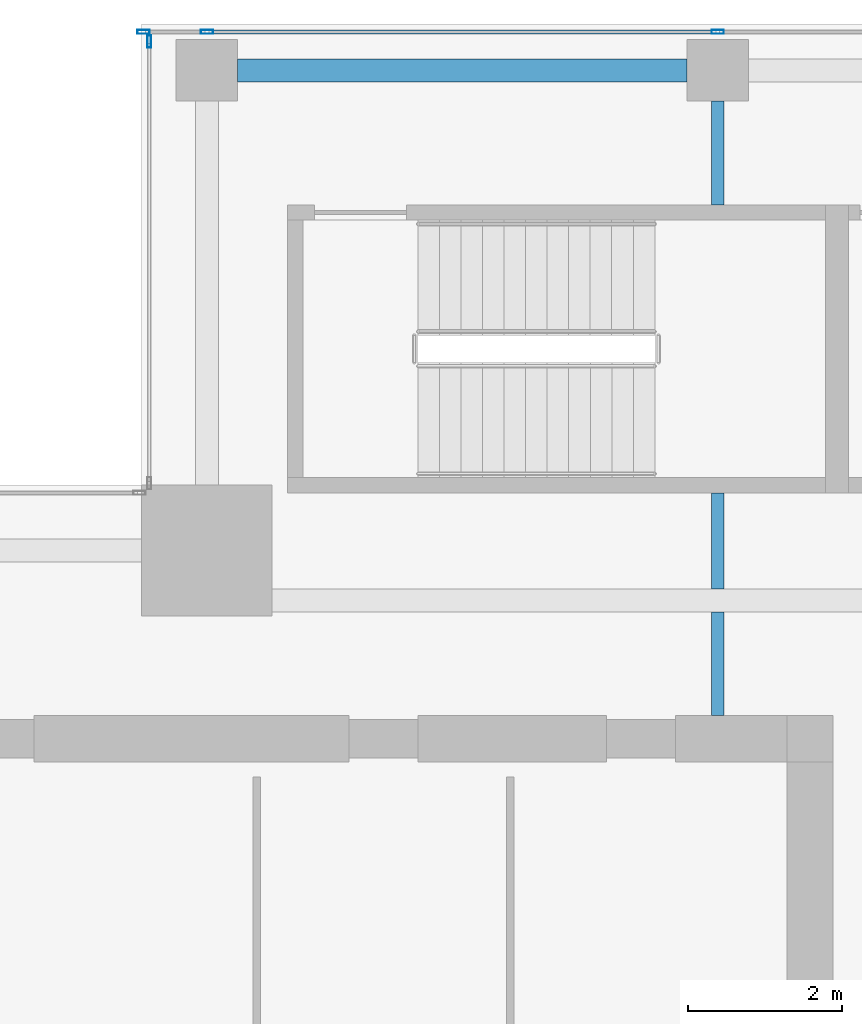
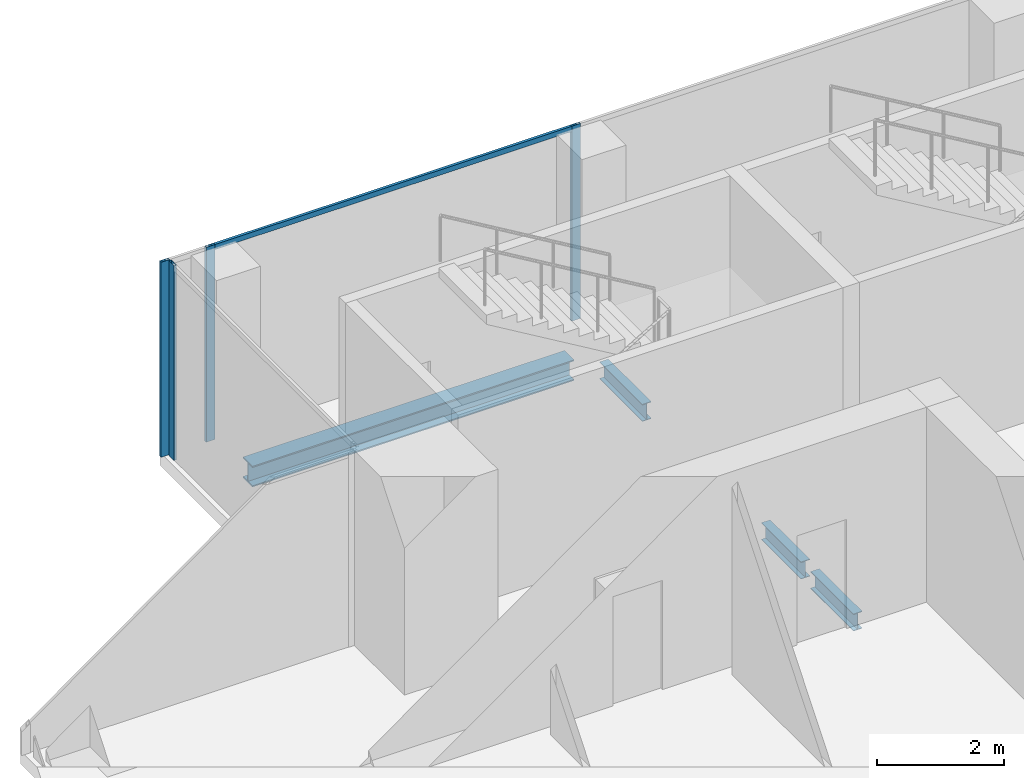
# One storey, part 13 of 28: 5 members, 4 beams, 2 elements without a shape of their own.
"""IFC4 building model written with IfcOpenShell, lengths in metres."""

from ifc_helpers import new_model, si_unit, direction, frame, origin, origin_2d, place, context, subcontext, project, spatial, hollow_rectangle, i_section, extrude, source, transform, mapped, material, material_profile, profile_set, type_object, element, aggregate, save


model = new_model("IFC4")

# Units and contexts
model_context = context("Model", 3, precision=1e-05, world=origin(), true_north=direction((0.0, 1.0)))
body_context = subcontext(model_context, "Body", "Model", "MODEL_VIEW")
ifc_project = project(units=[si_unit("LENGTHUNIT", "METRE"), si_unit("AREAUNIT", "SQUARE_METRE"), si_unit("VOLUMEUNIT", "CUBIC_METRE"), si_unit("PLANEANGLEUNIT", "RADIAN"), si_unit("MASSUNIT", "GRAM", prefix="KILO")], contexts=[model_context])

# Site, building, storey
site_placement = place(None, origin())
site = spatial("IfcSite", under=ifc_project, at=site_placement, CompositionType="ELEMENT")
building_placement = place(site_placement, origin())
building = spatial("IfcBuilding", under=site, at=building_placement, Name="Khomas Fold Tower", CompositionType="ELEMENT")
storey_placement = place(building_placement, frame((0.0, 0.0, 302.199951171875)))
storey = spatial("IfcBuildingStorey", under=building, at=storey_placement, Name="L68", CompositionType="ELEMENT", Elevation=302.199951171875)

# Beams
ifc_material_1 = material(Name="Steel S355", Category="steel")
ifc_material_profile_1 = material_profile(ifc_material_1, i_section(OverallWidth=0.159912109375, OverallDepth=0.330078125, WebThickness=0.007568359375, FlangeThickness=0.011474609375, at=origin_2d()), Name="IPE 330")
ifc_profile_set_1 = profile_set([ifc_material_profile_1], Name="Steel S355")
beam_type_1 = type_object("IfcBeamType", Name="IPE 330 beam JB1", PredefinedType="BEAM", material=ifc_profile_set_1)
shared_shape_1 = source(origin(), body_context, "Body", "SweptSolid", [
    extrude(i_section(OverallWidth=0.159912109375, OverallDepth=0.330078125, WebThickness=0.007568359375, FlangeThickness=0.011474609375, at=origin_2d()), origin(), (0.0, 0.0, 1.0), 1.25),
])
beam_1_placement = place(storey_placement, frame((19.5, 40.64990234375, -0.4150390625), z_axis=(0.0, 1.0, 0.0), x_axis=(-1.0, 0.0, 0.0)))
element("IfcBeam", 1, at=beam_1_placement, inside=storey, type_object=beam_type_1, Name="JB1", PredefinedType="BEAM", context=body_context, shape_type="MappedRepresentation", body=[
    mapped(shared_shape_1, transform((0.0, 0.0, 0.0))),
])
shared_shape_2 = source(origin(), body_context, "Body", "SweptSolid", [
    extrude(i_section(OverallWidth=0.159912109375, OverallDepth=0.330078125, WebThickness=0.007568359375, FlangeThickness=0.011474609375, at=origin_2d()), origin(), (0.0, 0.0, 1.0), 1.35009765625),
])
for number, where, z_axis, x_axis, name in (
    (2, (19.5, 39.0, -0.4150390625), (0.0, 1.0, 0.0), (-1.0, 0.0, 0.0), "JB1"),
    (3, (19.5, 45.64990234375, -0.4150390625), (0.0, 1.0, 0.0), (-1.0, 0.0, 0.0), "JB1"),
):
    element("IfcBeam", number, at=place(storey_placement, frame(where, z_axis=z_axis, x_axis=x_axis)), inside=storey, type_object=beam_type_1, Name=name, PredefinedType="BEAM", context=body_context, shape_type="MappedRepresentation", body=[
        mapped(shared_shape_2, transform((0.0, 0.0, 0.0))),
    ])
ifc_material_2 = material(Name="Steel S355", Category="steel")
ifc_material_profile_2 = material_profile(ifc_material_2, i_section(OverallWidth=0.300048828125, OverallDepth=0.39990234375, WebThickness=0.013427734375, FlangeThickness=0.02392578125, at=origin_2d()), Name="HE 400 B")
ifc_profile_set_2 = profile_set([ifc_material_profile_2], Name="Steel S355")
beam_type_2 = type_object("IfcBeamType", Name="HE 400 B spandrel SB5", PredefinedType="SPANDREL", material=ifc_profile_set_2)
shared_shape_3 = source(origin(), body_context, "Body", "SweptSolid", [
    extrude(i_section(OverallWidth=0.300048828125, OverallDepth=0.39990234375, WebThickness=0.013427734375, FlangeThickness=0.02392578125, at=origin_2d()), origin(), (0.0, 0.0, 1.0), 5.85009765625),
])
beam_2_placement = place(storey_placement, frame((13.25, 47.39990234375, -0.449951171875), z_axis=(1.0, 0.0, 0.0), x_axis=(0.0, 1.0, 0.0)))
element("IfcBeam", 4, at=beam_2_placement, inside=storey, type_object=beam_type_2, Name="SB5", PredefinedType="SPANDREL", context=body_context, shape_type="MappedRepresentation", body=[
    mapped(shared_shape_3, transform((0.0, 0.0, 0.0))),
])

# Curtain wall, members
ifc_material_3 = material(Name="Aluminium framed double glazing", Category="aluminium")
curtain_wall_type = type_object("IfcCurtainWallType", Name="SK-Unitised clear-glass wall, upper floors CW3", PredefinedType="NOTDEFINED", material=ifc_material_3)
curtain_wall_1_placement = place(storey_placement, origin())
curtain_wall_1 = element("IfcCurtainWall", 5, at=curtain_wall_1_placement, inside=storey, type_object=curtain_wall_type, Name="CW3 run L68 06-1", PredefinedType="NOTDEFINED")
ifc_material_4 = material(Name="Aluminium", Category="aluminium")
ifc_material_profile_3 = material_profile(ifc_material_4, hollow_rectangle(XDim=0.050048828125, YDim=0.159912109375, WallThickness=0.00390625, at=origin_2d()), Name="SK-Unitised clear-glass wall, upper floors mullion CW3-M")
ifc_profile_set_3 = profile_set([ifc_material_profile_3], Name="Aluminium")
member_type_1 = type_object("IfcMemberType", Name="SK-Unitised clear-glass wall, upper floors mullion CW3-M", PredefinedType="MULLION", material=ifc_profile_set_3)
shared_shape_4 = source(origin(), body_context, "Body", "SweptSolid", [
    extrude(hollow_rectangle(XDim=0.050048828125, YDim=0.159912109375, WallThickness=0.00390625, at=origin_2d()), origin(), (0.0, 0.0, 1.0), 3.75),
])
member_1_placement = place(storey_placement, frame((19.5, 47.89990234375, 0.0), z_axis=(0.0, 0.0, 1.0), x_axis=(0.0, -1.0, 0.0)))
member_1 = element("IfcMember", 6, at=member_1_placement, type_object=member_type_1, Name="CW3 mullion 4", PredefinedType="MULLION", context=body_context, shape_type="MappedRepresentation", body=[
    mapped(shared_shape_4, transform((0.0, 0.0, 0.0))),
])
member_2_placement = place(storey_placement, frame((12.85009765625, 47.89990234375, 0.0), z_axis=(0.0, 0.0, 1.0), x_axis=(0.0, -1.0, 0.0)))
member_2 = element("IfcMember", 7, at=member_2_placement, type_object=member_type_1, Name="CW3 mullion 5", PredefinedType="MULLION", context=body_context, shape_type="MappedRepresentation", body=[
    mapped(shared_shape_4, transform((0.0, 0.0, 0.0))),
])
member_3_placement = place(storey_placement, frame((12.02490234375, 47.89990234375, 0.0), z_axis=(0.0, 0.0, 1.0), x_axis=(0.0, -1.0, 0.0)))
member_3 = element("IfcMember", 8, at=member_3_placement, type_object=member_type_1, Name="CW3 mullion 6", PredefinedType="MULLION", context=body_context, shape_type="MappedRepresentation", body=[
    mapped(shared_shape_4, transform((0.0, 0.0, 0.0))),
])

# Curtain wall, member
curtain_wall_2_placement = place(storey_placement, origin())
curtain_wall_2 = element("IfcCurtainWall", 9, at=curtain_wall_2_placement, inside=storey, type_object=curtain_wall_type, Name="CW3 corner return L68 07", PredefinedType="NOTDEFINED")
member_4_placement = place(storey_placement, frame((12.10009765625, 47.77490234375, 0.0), z_axis=(0.0, 0.0, 1.0), x_axis=(1.0, 0.0, 0.0)))
member_4 = element("IfcMember", 10, at=member_4_placement, type_object=member_type_1, Name="CW3 mullion 1", PredefinedType="MULLION", context=body_context, shape_type="MappedRepresentation", body=[
    mapped(shared_shape_4, transform((0.0, 0.0, 0.0))),
])
aggregate(curtain_wall_2, [member_4])

# Member
ifc_material_5 = material(Name="Aluminium", Category="aluminium")
ifc_material_profile_4 = material_profile(ifc_material_5, hollow_rectangle(XDim=0.050048828125, YDim=0.10009765625, WallThickness=0.00390625, at=origin_2d()), Name="SK-Unitised clear-glass wall, upper floors transom CW3-T")
ifc_profile_set_4 = profile_set([ifc_material_profile_4], Name="Aluminium")
member_type_2 = type_object("IfcMemberType", Name="SK-Unitised clear-glass wall, upper floors transom CW3-T", PredefinedType="USERDEFINED", material=ifc_profile_set_4)
shared_shape_5 = source(origin(), body_context, "Body", "SweptSolid", [
    extrude(hollow_rectangle(XDim=0.050048828125, YDim=0.10009765625, WallThickness=0.00390625, at=origin_2d()), origin(), (0.0, 0.0, 1.0), 6.60009765625),
])
member_5_placement = place(storey_placement, frame((19.47509765625, 47.89990234375, 3.699951171875), z_axis=(-1.0, 0.0, 0.0), x_axis=(0.0, -1.0, 0.0)))
member_5 = element("IfcMember", 11, at=member_5_placement, type_object=member_type_2, Name="CW3 transom 4", ObjectType="TRANSOM", PredefinedType="USERDEFINED", context=body_context, shape_type="MappedRepresentation", body=[
    mapped(shared_shape_5, transform((0.0, 0.0, 0.0))),
])

aggregate(curtain_wall_1, [member_1, member_2, member_3, member_5])

save(model, "model.ifc")
